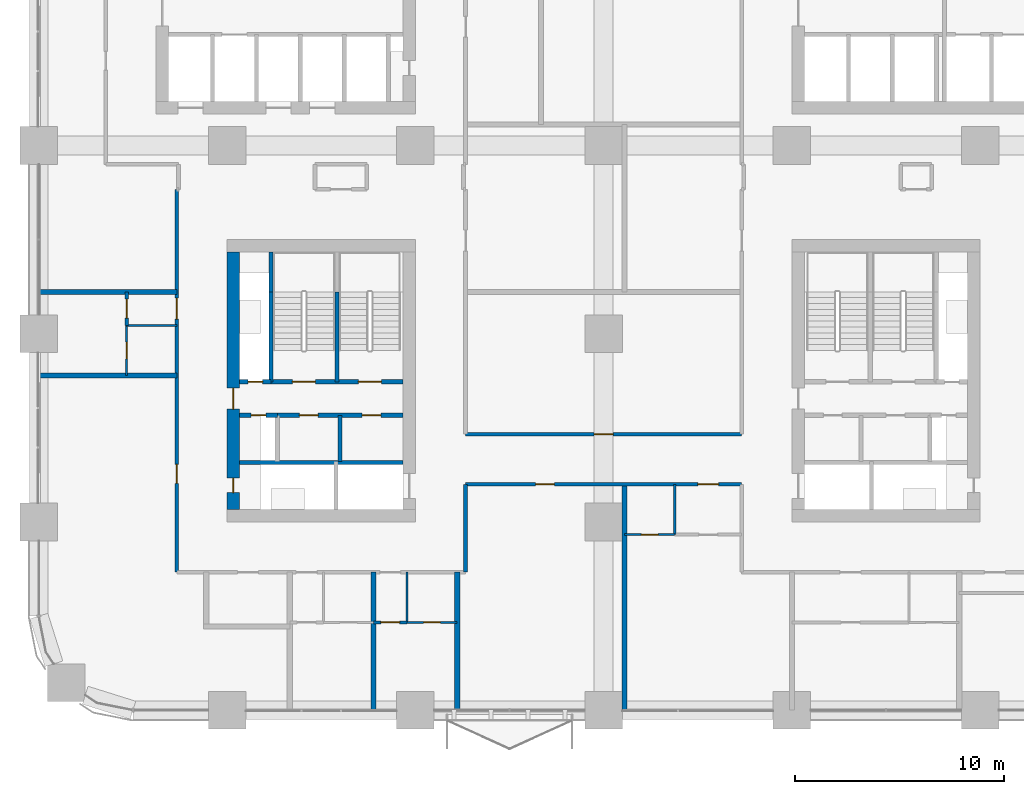
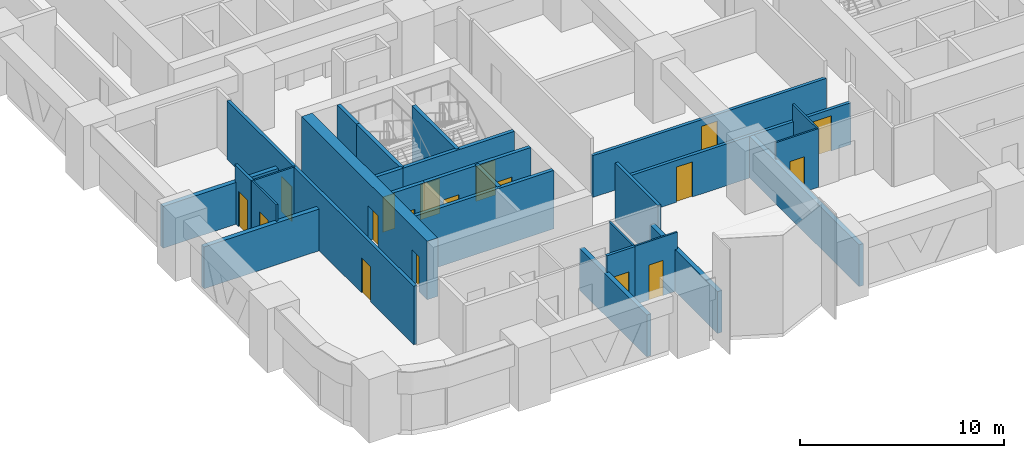
# One storey, part 14 of 24: 27 walls, 18 doors, 18 openings.
"""IFC4 building model written with IfcOpenShell, lengths in metres."""

from ifc_helpers import new_model, si_unit, direction, frame, frame_2d, origin, place, context, subcontext, project, spatial, rectangle, extrude, material, layer, layer_set, type_object, element, fill, save


model = new_model("IFC4")

# Units and contexts
model_context = context("Model", 3, precision=1e-05, world=origin(), true_north=direction((0.0, 1.0)))
body_context = subcontext(model_context, "Body", "Model", "MODEL_VIEW")
ifc_project = project(units=[si_unit("LENGTHUNIT", "METRE"), si_unit("AREAUNIT", "SQUARE_METRE"), si_unit("VOLUMEUNIT", "CUBIC_METRE"), si_unit("PLANEANGLEUNIT", "RADIAN"), si_unit("MASSUNIT", "GRAM", prefix="KILO")], contexts=[model_context])

# Site, building, storey
site_placement = place(None, origin())
site = spatial("IfcSite", under=ifc_project, at=site_placement, CompositionType="ELEMENT")
building_placement = place(site_placement, origin())
building = spatial("IfcBuilding", under=site, at=building_placement, Name="Tessera Arch", CompositionType="ELEMENT")
storey_placement = place(building_placement, frame((0.0, 0.0, 38.60009765625)))
storey = spatial("IfcBuildingStorey", under=building, at=storey_placement, Name="L07", CompositionType="ELEMENT", Elevation=38.60009765625)

# Wall
ifc_material_1 = material(Name="Gypsum board on steel stud", Category="steel")
ifc_layer_1 = layer(ifc_material_1, 0.125)
ifc_layer_set_1 = layer_set([ifc_layer_1], Name="Core partition 125 EI 60")
wall_type_1 = type_object("IfcWallType", Name="Core partition 125 EI 60", PredefinedType="PARTITIONING", material=ifc_layer_set_1)
wall_1_placement = place(storey_placement, frame((14.39990234375, 11.89990234375, 0.0), z_axis=(0.0, 0.0, 1.0), x_axis=(0.0, 1.0, 0.0)))
element("IfcWall", 1, at=wall_1_placement, inside=storey, type_object=wall_type_1, Name="L07 C4 partition wall 7", PredefinedType="PARTITIONING", context=body_context, shape_type="SweptSolid", body=[
    extrude(rectangle(XDim=2.2001953125, YDim=0.199951171875, at=frame_2d((1.10009765625, 0.0))), origin(), (0.0, 0.0, 1.0), 3.5),
])

# Wall, openings, doors
wall_2_placement = place(storey_placement, frame((11.39990234375, 14.10009765625, 0.0), z_axis=(0.0, 0.0, 1.0), x_axis=(1.0, 0.0, 0.0)))
wall_2 = element("IfcWall", 2, at=wall_2_placement, inside=storey, type_object=wall_type_1, Name="L07 C4 partition wall 9", PredefinedType="PARTITIONING", context=body_context, shape_type="SweptSolid", body=[
    extrude(rectangle(XDim=6.0, YDim=0.199951171875, at=frame_2d((3.0, 0.0))), origin(), (0.0, 0.0, 1.0), 3.5),
])
opening_1_placement = place(wall_2_placement, frame((1.050048828125, 0.0, 0.0)))
opening_1 = element("IfcOpeningElement", 3, at=opening_1_placement, cuts=wall_2, Name="Opening L07-C47", PredefinedType="OPENING", context=body_context, shape_type="SweptSolid", body=[
    extrude(rectangle(XDim=0.89990234375, YDim=2.10009765625, at=frame_2d((0.449951171875, 1.050048828125))), frame((0.0, 0.10986328125, 0.0), z_axis=(0.0, -1.0, 0.0), x_axis=(1.0, 0.0, 0.0)), (0.0, 0.0, 1.0), 0.219970703125),
])
opening_2_placement = place(wall_2_placement, frame((4.050048828125, 0.0, 0.0)))
opening_2 = element("IfcOpeningElement", 4, at=opening_2_placement, cuts=wall_2, Name="Opening L07-C48", PredefinedType="OPENING", context=body_context, shape_type="SweptSolid", body=[
    extrude(rectangle(XDim=0.89990234375, YDim=2.10009765625, at=frame_2d((0.449951171875, 1.050048828125))), frame((0.0, 0.10986328125, 0.0), z_axis=(0.0, -1.0, 0.0), x_axis=(1.0, 0.0, 0.0)), (0.0, 0.0, 1.0), 0.219970703125),
])
ifc_material_2 = material(Name="Steel door leaf", Category="steel")
door_type_1 = type_object("IfcDoorType", Name="Store door FD30S 900 x 2100", OperationType="SINGLE_SWING_LEFT", PredefinedType="DOOR", material=ifc_material_2)
door_1_placement = place(opening_1_placement, origin())
door_1 = element("IfcDoor", 5, at=door_1_placement, inside=storey, type_object=door_type_1, Name="L07 C4 door 8 C47 type D09", OperationType="SINGLE_SWING_LEFT", OverallHeight=2.10009765625, OverallWidth=0.89990234375, PredefinedType="DOOR", context=body_context, shape_type="SweptSolid", body=[
    extrude(rectangle(XDim=0.89990234375, YDim=2.10009765625, at=frame_2d((0.449951171875, 1.050048828125))), frame((0.0, 0.02490234375, 0.0), z_axis=(0.0, -1.0, 0.0), x_axis=(1.0, 0.0, 0.0)), (0.0, 0.0, 1.0), 0.050048828125),
])
fill(opening_1, door_1)
door_2_placement = place(opening_2_placement, origin())
door_2 = element("IfcDoor", 6, at=door_2_placement, inside=storey, type_object=door_type_1, Name="L07 C4 door 9 C48 type D09", OperationType="SINGLE_SWING_RIGHT", OverallHeight=2.10009765625, OverallWidth=0.89990234375, PredefinedType="DOOR", context=body_context, shape_type="SweptSolid", body=[
    extrude(rectangle(XDim=0.89990234375, YDim=2.10009765625, at=frame_2d((0.449951171875, 1.050048828125))), frame((0.0, 0.02490234375, 0.0), z_axis=(0.0, -1.0, 0.0), x_axis=(1.0, 0.0, 0.0)), (0.0, 0.0, 1.0), 0.050048828125),
])
fill(opening_2, door_2)

ifc_material_3 = material(Name="Concrete C70/85", Category="concrete")
ifc_layer_2 = layer(ifc_material_3, 0.60009765625)
ifc_layer_set_2 = layer_set([ifc_layer_2], Name="Core shell wall 600 C70-85")
wall_type_2 = type_object("IfcWallType", Name="Core shell wall 600 C70-85", PredefinedType="SHEAR", material=ifc_layer_set_2)
wall_3_placement = place(storey_placement, frame((9.300048828125, 9.60009765625, 0.0), z_axis=(0.0, 0.0, 1.0), x_axis=(0.0, 1.0, 0.0)))
wall_3 = element("IfcWall", 7, at=wall_3_placement, inside=storey, type_object=wall_type_2, Name="L07 C4 core wall W", PredefinedType="SHEAR", context=body_context, shape_type="SweptSolid", body=[
    extrude(rectangle(XDim=12.2998046875, YDim=0.60009765625, at=frame_2d((6.14990234375, 0.0))), origin(), (0.0, 0.0, 1.0), 3.5),
])
opening_3_placement = place(wall_3_placement, frame((0.800048828125, 0.0, 0.0)))
opening_3 = element("IfcOpeningElement", 8, at=opening_3_placement, cuts=wall_3, Name="Opening L07-C45", PredefinedType="OPENING", context=body_context, shape_type="SweptSolid", body=[
    extrude(rectangle(XDim=0.699951171875, YDim=2.10009765625, at=frame_2d((0.35009765625, 1.050048828125))), frame((0.0, 0.31005859375, 0.0), z_axis=(0.0, -1.0, 0.0), x_axis=(1.0, 0.0, 0.0)), (0.0, 0.0, 1.0), 0.6201171875),
])
opening_4_placement = place(wall_3_placement, frame((4.800048828125, 0.0, 0.0)))
opening_4 = element("IfcOpeningElement", 9, at=opening_4_placement, cuts=wall_3, Name="Opening L07-C46", PredefinedType="OPENING", context=body_context, shape_type="SweptSolid", body=[
    extrude(rectangle(XDim=1.0, YDim=2.10009765625, at=frame_2d((0.5, 1.050048828125))), frame((0.0, 0.31005859375, 0.0), z_axis=(0.0, -1.0, 0.0), x_axis=(1.0, 0.0, 0.0)), (0.0, 0.0, 1.0), 0.6201171875),
])
ifc_material_4 = material(Name="Steel door leaf", Category="steel")
door_type_2 = type_object("IfcDoorType", Name="Corridor door FD60 1000 x 2100", OperationType="SINGLE_SWING_LEFT", PredefinedType="DOOR", material=ifc_material_4)
door_3_placement = place(opening_4_placement, origin())
door_3 = element("IfcDoor", 10, at=door_3_placement, inside=storey, type_object=door_type_2, Name="L07 C4 door 7 C46 type D12", OperationType="SINGLE_SWING_LEFT", OverallHeight=2.10009765625, OverallWidth=1.0, PredefinedType="DOOR", context=body_context, shape_type="SweptSolid", body=[
    extrude(rectangle(XDim=1.0, YDim=2.10009765625, at=frame_2d((0.5, 1.050048828125))), frame((0.0, 0.02490234375, 0.0), z_axis=(0.0, -1.0, 0.0), x_axis=(1.0, 0.0, 0.0)), (0.0, 0.0, 1.0), 0.050048828125),
])
fill(opening_4, door_3)
ifc_material_5 = material(Name="Steel door leaf", Category="steel")
door_type_3 = type_object("IfcDoorType", Name="Service shaft door FD60 700 x 2100", OperationType="SINGLE_SWING_LEFT", PredefinedType="DOOR", material=ifc_material_5)
door_4_placement = place(opening_3_placement, origin())
door_4 = element("IfcDoor", 11, at=door_4_placement, inside=storey, type_object=door_type_3, Name="L07 C4 door 6 C45 type D07", OperationType="SINGLE_SWING_LEFT", OverallHeight=2.10009765625, OverallWidth=0.699951171875, PredefinedType="DOOR", context=body_context, shape_type="SweptSolid", body=[
    extrude(rectangle(XDim=0.699951171875, YDim=2.10009765625, at=frame_2d((0.35009765625, 1.050048828125))), frame((0.0, 0.02490234375, 0.0), z_axis=(0.0, -1.0, 0.0), x_axis=(1.0, 0.0, 0.0)), (0.0, 0.0, 1.0), 0.050048828125),
])
fill(opening_3, door_4)

ifc_material_6 = material(Name="Gypsum board on deep steel stud with mineral wool", Category="steel")
ifc_layer_3 = layer(ifc_material_6, 0.175048828125)
ifc_layer_set_3 = layer_set([ifc_layer_3], Name="Corridor wall 175 EI 60")
wall_type_3 = type_object("IfcWallType", Name="Corridor wall 175 EI 60", PredefinedType="PARTITIONING", material=ifc_layer_set_3)
wall_4_placement = place(storey_placement, frame((20.39990234375, 10.800048828125, 0.0), z_axis=(0.0, 0.0, 1.0), x_axis=(1.0, 0.0, 0.0)))
wall_4 = element("IfcWall", 12, at=wall_4_placement, inside=storey, type_object=wall_type_3, Name="L07 partition 3", PredefinedType="PARTITIONING", context=body_context, shape_type="SweptSolid", body=[
    extrude(rectangle(XDim=13.2001953125, YDim=0.175048828125, at=frame_2d((6.60009765625, 0.0))), origin(), (0.0, 0.0, 1.0), 2.5),
])
opening_5_placement = place(wall_4_placement, frame((11.10009765625, 0.0, 0.0)))
opening_5 = element("IfcOpeningElement", 13, at=opening_5_placement, cuts=wall_4, Name="Opening L07-D013", PredefinedType="OPENING", context=body_context, shape_type="SweptSolid", body=[
    extrude(rectangle(XDim=1.0, YDim=2.10009765625, at=frame_2d((0.5, 1.050048828125))), frame((0.0, 0.097412109375, 0.0), z_axis=(0.0, -1.0, 0.0), x_axis=(1.0, 0.0, 0.0)), (0.0, 0.0, 1.0), 0.195068359375),
])
opening_6_placement = place(wall_4_placement, frame((3.35009765625, 0.0, 0.0)))
opening_6 = element("IfcOpeningElement", 14, at=opening_6_placement, cuts=wall_4, Name="Opening L07-D017", PredefinedType="OPENING", context=body_context, shape_type="SweptSolid", body=[
    extrude(rectangle(XDim=0.89990234375, YDim=2.10009765625, at=frame_2d((0.449951171875, 1.050048828125))), frame((0.0, 0.097412109375, 0.0), z_axis=(0.0, -1.0, 0.0), x_axis=(1.0, 0.0, 0.0)), (0.0, 0.0, 1.0), 0.195068359375),
])
ifc_material_7 = material(Name="Fire-rated door leaf")
door_type_4 = type_object("IfcDoorType", Name="Entrance door FD30S 1000 x 2100", OperationType="SINGLE_SWING_LEFT", PredefinedType="DOOR", material=ifc_material_7)
door_5_placement = place(opening_5_placement, origin())
door_5 = element("IfcDoor", 15, at=door_5_placement, inside=storey, type_object=door_type_4, Name="L07 door D013 type D03", OperationType="SINGLE_SWING_RIGHT", OverallHeight=2.10009765625, OverallWidth=1.0, PredefinedType="DOOR", context=body_context, shape_type="SweptSolid", body=[
    extrude(rectangle(XDim=1.0, YDim=2.10009765625, at=frame_2d((0.5, 1.050048828125))), frame((0.0, 0.02490234375, 0.0), z_axis=(0.0, -1.0, 0.0), x_axis=(1.0, 0.0, 0.0)), (0.0, 0.0, 1.0), 0.050048828125),
])
fill(opening_5, door_5)
ifc_material_8 = material(Name="Timber door leaf", Category="wood")
door_type_5 = type_object("IfcDoorType", Name="Room door 900 x 2100", OperationType="SINGLE_SWING_LEFT", PredefinedType="DOOR", material=ifc_material_8)
door_6_placement = place(opening_6_placement, origin())
door_6 = element("IfcDoor", 16, at=door_6_placement, inside=storey, type_object=door_type_5, Name="L07 door D017 type D01", OperationType="SINGLE_SWING_RIGHT", OverallHeight=2.10009765625, OverallWidth=0.89990234375, PredefinedType="DOOR", context=body_context, shape_type="SweptSolid", body=[
    extrude(rectangle(XDim=0.89990234375, YDim=2.10009765625, at=frame_2d((0.449951171875, 1.050048828125))), frame((0.0, 0.02490234375, 0.0), z_axis=(0.0, -1.0, 0.0), x_axis=(1.0, 0.0, 0.0)), (0.0, 0.0, 1.0), 0.050048828125),
])
fill(opening_6, door_6)

# Wall, opening, door
wall_5_placement = place(storey_placement, frame((20.39990234375, 13.199951171875, 0.0), z_axis=(0.0, 0.0, 1.0), x_axis=(1.0, 0.0, 0.0)))
wall_5 = element("IfcWall", 17, at=wall_5_placement, inside=storey, type_object=wall_type_3, Name="L07 partition 4", PredefinedType="PARTITIONING", context=body_context, shape_type="SweptSolid", body=[
    extrude(rectangle(XDim=13.2001953125, YDim=0.175048828125, at=frame_2d((6.60009765625, 0.0))), origin(), (0.0, 0.0, 1.0), 2.5),
])
opening_7_placement = place(wall_5_placement, frame((6.14990234375, 0.0, 0.0)))
opening_7 = element("IfcOpeningElement", 18, at=opening_7_placement, cuts=wall_5, Name="Opening L07-D025", PredefinedType="OPENING", context=body_context, shape_type="SweptSolid", body=[
    extrude(rectangle(XDim=0.89990234375, YDim=2.10009765625, at=frame_2d((0.449951171875, 1.050048828125))), frame((0.0, 0.097412109375, 0.0), z_axis=(0.0, -1.0, 0.0), x_axis=(1.0, 0.0, 0.0)), (0.0, 0.0, 1.0), 0.195068359375),
])
door_7_placement = place(opening_7_placement, origin())
door_7 = element("IfcDoor", 19, at=door_7_placement, inside=storey, type_object=door_type_5, Name="L07 door D025 type D01", OperationType="SINGLE_SWING_LEFT", OverallHeight=2.10009765625, OverallWidth=0.89990234375, PredefinedType="DOOR", context=body_context, shape_type="SweptSolid", body=[
    extrude(rectangle(XDim=0.89990234375, YDim=2.10009765625, at=frame_2d((0.449951171875, 1.050048828125))), frame((0.0, 0.02490234375, 0.0), z_axis=(0.0, -1.0, 0.0), x_axis=(1.0, 0.0, 0.0)), (0.0, 0.0, 1.0), 0.050048828125),
])
fill(opening_7, door_7)

# Wall, openings, doors
wall_6_placement = place(storey_placement, frame((6.60009765625, 6.60009765625, 0.0), z_axis=(0.0, 0.0, 1.0), x_axis=(0.0, 1.0, 0.0)))
wall_6 = element("IfcWall", 20, at=wall_6_placement, inside=storey, type_object=wall_type_3, Name="L07 partition 22", PredefinedType="PARTITIONING", context=body_context, shape_type="SweptSolid", body=[
    extrude(rectangle(XDim=18.2998046875, YDim=0.175048828125, at=frame_2d((9.14990234375, 0.0))), origin(), (0.0, 0.0, 1.0), 3.5),
])
opening_8_placement = place(wall_6_placement, frame((4.25, 0.0, 0.0)))
opening_8 = element("IfcOpeningElement", 21, at=opening_8_placement, cuts=wall_6, Name="Opening L07-D018", PredefinedType="OPENING", context=body_context, shape_type="SweptSolid", body=[
    extrude(rectangle(XDim=0.89990234375, YDim=2.10009765625, at=frame_2d((0.449951171875, 1.050048828125))), frame((0.0, 0.097412109375, 0.0), z_axis=(0.0, -1.0, 0.0), x_axis=(1.0, 0.0, 0.0)), (0.0, 0.0, 1.0), 0.195068359375),
])
opening_9_placement = place(wall_6_placement, frame((12.10009765625, 0.0, 0.0)))
opening_9 = element("IfcOpeningElement", 22, at=opening_9_placement, cuts=wall_6, Name="Opening L07-D026", PredefinedType="OPENING", context=body_context, shape_type="SweptSolid", body=[
    extrude(rectangle(XDim=1.0, YDim=2.10009765625, at=frame_2d((0.5, 1.050048828125))), frame((0.0, 0.097412109375, 0.0), z_axis=(0.0, -1.0, 0.0), x_axis=(1.0, 0.0, 0.0)), (0.0, 0.0, 1.0), 0.195068359375),
])
door_8_placement = place(opening_9_placement, origin())
door_8 = element("IfcDoor", 23, at=door_8_placement, inside=storey, type_object=door_type_4, Name="L07 door D026 type D03", OperationType="SINGLE_SWING_RIGHT", OverallHeight=2.10009765625, OverallWidth=1.0, PredefinedType="DOOR", context=body_context, shape_type="SweptSolid", body=[
    extrude(rectangle(XDim=1.0, YDim=2.10009765625, at=frame_2d((0.5, 1.050048828125))), frame((0.0, 0.02490234375, 0.0), z_axis=(0.0, -1.0, 0.0), x_axis=(1.0, 0.0, 0.0)), (0.0, 0.0, 1.0), 0.050048828125),
])
fill(opening_9, door_8)
door_9_placement = place(opening_8_placement, origin())
door_9 = element("IfcDoor", 24, at=door_9_placement, inside=storey, type_object=door_type_5, Name="L07 door D018 type D01", OperationType="SINGLE_SWING_RIGHT", OverallHeight=2.10009765625, OverallWidth=0.89990234375, PredefinedType="DOOR", context=body_context, shape_type="SweptSolid", body=[
    extrude(rectangle(XDim=0.89990234375, YDim=2.10009765625, at=frame_2d((0.449951171875, 1.050048828125))), frame((0.0, 0.02490234375, 0.0), z_axis=(0.0, -1.0, 0.0), x_axis=(1.0, 0.0, 0.0)), (0.0, 0.0, 1.0), 0.050048828125),
])
fill(opening_8, door_9)

# Wall
wall_7_placement = place(storey_placement, frame((20.39990234375, 6.60009765625, 0.0), z_axis=(0.0, 0.0, 1.0), x_axis=(0.0, 1.0, 0.0)))
element("IfcWall", 25, at=wall_7_placement, inside=storey, type_object=wall_type_3, Name="L07 partition 27", PredefinedType="PARTITIONING", context=body_context, shape_type="SweptSolid", body=[
    extrude(rectangle(XDim=4.199951171875, YDim=0.175048828125, at=frame_2d((2.10009765625, 0.0))), origin(), (0.0, 0.0, 1.0), 3.5),
])

# Wall, opening, door
ifc_material_9 = material(Name="Gypsum board on steel stud", Category="steel")
ifc_layer_4 = layer(ifc_material_9, 0.14990234375)
ifc_layer_set_4 = layer_set([ifc_layer_4], Name="Partition 150")
wall_type_4 = type_object("IfcWallType", Name="Partition 150", PredefinedType="PARTITIONING", material=ifc_layer_set_4)
wall_8_placement = place(storey_placement, frame((16.0, 4.199951171875, 0.0), z_axis=(0.0, 0.0, 1.0), x_axis=(1.0, 0.0, 0.0)))
wall_8 = element("IfcWall", 26, at=wall_8_placement, inside=storey, type_object=wall_type_4, Name="L07 partition 42", PredefinedType="PARTITIONING", context=body_context, shape_type="SweptSolid", body=[
    extrude(rectangle(XDim=1.60009765625, YDim=0.14990234375, at=frame_2d((0.800048828125, 0.0))), origin(), (0.0, 0.0, 1.0), 3.5),
])
opening_10_placement = place(wall_8_placement, frame((0.35009765625, 0.0, 0.0)))
opening_10 = element("IfcOpeningElement", 27, at=opening_10_placement, cuts=wall_8, Name="Opening L07-D005", PredefinedType="OPENING", context=body_context, shape_type="SweptSolid", body=[
    extrude(rectangle(XDim=0.89990234375, YDim=2.10009765625, at=frame_2d((0.449951171875, 1.050048828125))), frame((0.0, 0.0849609375, 0.0), z_axis=(0.0, -1.0, 0.0), x_axis=(1.0, 0.0, 0.0)), (0.0, 0.0, 1.0), 0.169921875),
])
door_10_placement = place(opening_10_placement, origin())
door_10 = element("IfcDoor", 28, at=door_10_placement, inside=storey, type_object=door_type_5, Name="L07 door D005 type D01", OperationType="SINGLE_SWING_RIGHT", OverallHeight=2.10009765625, OverallWidth=0.89990234375, PredefinedType="DOOR", context=body_context, shape_type="SweptSolid", body=[
    extrude(rectangle(XDim=0.89990234375, YDim=2.10009765625, at=frame_2d((0.449951171875, 1.050048828125))), frame((0.0, 0.02490234375, 0.0), z_axis=(0.0, -1.0, 0.0), x_axis=(1.0, 0.0, 0.0)), (0.0, 0.0, 1.0), 0.050048828125),
])
fill(opening_10, door_10)

wall_9_placement = place(storey_placement, frame((4.199951171875, 18.39990234375, 0.0), z_axis=(0.0, 0.0, 1.0), x_axis=(0.0, 1.0, 0.0)))
wall_9 = element("IfcWall", 29, at=wall_9_placement, inside=storey, type_object=wall_type_4, Name="L07 partition 46", PredefinedType="PARTITIONING", context=body_context, shape_type="SweptSolid", body=[
    extrude(rectangle(XDim=1.60009765625, YDim=0.14990234375, at=frame_2d((0.800048828125, 0.0))), origin(), (0.0, 0.0, 1.0), 3.5),
])
opening_11_placement = place(wall_9_placement, frame((0.35009765625, 0.0, 0.0)))
opening_11 = element("IfcOpeningElement", 30, at=opening_11_placement, cuts=wall_9, Name="Opening L07-D027", PredefinedType="OPENING", context=body_context, shape_type="SweptSolid", body=[
    extrude(rectangle(XDim=0.89990234375, YDim=2.10009765625, at=frame_2d((0.449951171875, 1.050048828125))), frame((0.0, 0.0849609375, 0.0), z_axis=(0.0, -1.0, 0.0), x_axis=(1.0, 0.0, 0.0)), (0.0, 0.0, 1.0), 0.169921875),
])
door_11_placement = place(opening_11_placement, origin())
door_11 = element("IfcDoor", 31, at=door_11_placement, inside=storey, type_object=door_type_5, Name="L07 door D027 type D01", OperationType="SINGLE_SWING_LEFT", OverallHeight=2.10009765625, OverallWidth=0.89990234375, PredefinedType="DOOR", context=body_context, shape_type="SweptSolid", body=[
    extrude(rectangle(XDim=0.89990234375, YDim=2.10009765625, at=frame_2d((0.449951171875, 1.050048828125))), frame((0.0, 0.02490234375, 0.0), z_axis=(0.0, -1.0, 0.0), x_axis=(1.0, 0.0, 0.0)), (0.0, 0.0, 1.0), 0.050048828125),
])
fill(opening_11, door_11)

# Walls
ifc_material_10 = material(Name="Double gypsum board on twin steel stud with acoustic mineral wool", Category="steel")
ifc_layer_5 = layer(ifc_material_10, 0.25)
ifc_layer_set_5 = layer_set([ifc_layer_5], Name="Party wall 250 EI 60")
wall_type_5 = type_object("IfcWallType", Name="Party wall 250 EI 60", PredefinedType="PARTITIONING", material=ifc_layer_set_5)
for number, where, z_axis, x_axis, name in (
    (32, (0.0, 16.0, 0.0), (0.0, 0.0, 1.0), (1.0, 0.0, 0.0), "L07 partition 52"),
    (33, (0.0, 20.0, 0.0), (0.0, 0.0, 1.0), (1.0, 0.0, 0.0), "L07 partition 53"),
    (34, (16.0, 0.0, 0.0), (0.0, 0.0, 1.0), (0.0, 1.0, 0.0), "L07 partition 63"),
    (35, (20.0, 0.0, 0.0), (0.0, 0.0, 1.0), (0.0, 1.0, 0.0), "L07 partition 64"),
):
    element("IfcWall", number, at=place(storey_placement, frame(where, z_axis=z_axis, x_axis=x_axis)), inside=storey, type_object=wall_type_5, Name=name, PredefinedType="PARTITIONING", context=body_context, shape_type="SweptSolid", body=[
        extrude(rectangle(XDim=6.60009765625, YDim=0.25, at=frame_2d((3.300048828125, 0.0))), origin(), (0.0, 0.0, 1.0), 2.5),
    ])
wall_10_placement = place(storey_placement, frame((28.0, 0.0, 0.0), z_axis=(0.0, 0.0, 1.0), x_axis=(0.0, 1.0, 0.0)))
element("IfcWall", 36, at=wall_10_placement, inside=storey, type_object=wall_type_5, Name="L07 partition 67", PredefinedType="PARTITIONING", context=body_context, shape_type="SweptSolid", body=[
    extrude(rectangle(XDim=10.800048828125, YDim=0.25, at=frame_2d((5.39990234375, 0.0))), origin(), (0.0, 0.0, 1.0), 2.5),
])
ifc_material_11 = material(Name="Concrete C40/50", Category="concrete")
ifc_layer_6 = layer(ifc_material_11, 0.199951171875)
ifc_layer_set_6 = layer_set([ifc_layer_6], Name="Shaft wall 200 EI 120")
wall_type_6 = type_object("IfcWallType", Name="Shaft wall 200 EI 120", PredefinedType="SOLIDWALL", material=ifc_layer_set_6)
wall_11_placement = place(storey_placement, frame((9.60009765625, 11.85009765625, 0.0), z_axis=(0.0, 0.0, 1.0), x_axis=(1.0, 0.0, 0.0)))
element("IfcWall", 37, at=wall_11_placement, inside=storey, type_object=wall_type_6, Name="L07 C4 shaft wall 8", PredefinedType="SOLIDWALL", context=body_context, shape_type="SweptSolid", body=[
    extrude(rectangle(XDim=7.7998046875, YDim=0.199951171875, at=frame_2d((3.89990234375, 0.0))), origin(), (0.0, 0.0, 1.0), 3.5),
])

# Wall, opening, door
wall_12_placement = place(storey_placement, frame((9.60009765625, 14.10009765625, 0.0), z_axis=(0.0, 0.0, 1.0), x_axis=(1.0, 0.0, 0.0)))
wall_12 = element("IfcWall", 38, at=wall_12_placement, inside=storey, type_object=wall_type_6, Name="L07 C4 shaft wall 10", PredefinedType="SOLIDWALL", context=body_context, shape_type="SweptSolid", body=[
    extrude(rectangle(XDim=1.7998046875, YDim=0.199951171875, at=frame_2d((0.89990234375, 0.0))), origin(), (0.0, 0.0, 1.0), 3.5),
])
opening_12_placement = place(wall_12_placement, frame((0.550048828125, 0.0, 0.0)))
opening_12 = element("IfcOpeningElement", 39, at=opening_12_placement, cuts=wall_12, Name="Opening L07-C44", PredefinedType="OPENING", context=body_context, shape_type="SweptSolid", body=[
    extrude(rectangle(XDim=0.699951171875, YDim=2.10009765625, at=frame_2d((0.35009765625, 1.050048828125))), frame((0.0, 0.10986328125, 0.0), z_axis=(0.0, -1.0, 0.0), x_axis=(1.0, 0.0, 0.0)), (0.0, 0.0, 1.0), 0.219970703125),
])
door_12_placement = place(opening_12_placement, origin())
door_12 = element("IfcDoor", 40, at=door_12_placement, inside=storey, type_object=door_type_3, Name="L07 C4 door 5 C44 type D07", OperationType="SINGLE_SWING_LEFT", OverallHeight=2.10009765625, OverallWidth=0.699951171875, PredefinedType="DOOR", context=body_context, shape_type="SweptSolid", body=[
    extrude(rectangle(XDim=0.699951171875, YDim=2.10009765625, at=frame_2d((0.35009765625, 1.050048828125))), frame((0.0, 0.02490234375, 0.0), z_axis=(0.0, -1.0, 0.0), x_axis=(1.0, 0.0, 0.0)), (0.0, 0.0, 1.0), 0.050048828125),
])
fill(opening_12, door_12)

wall_13_placement = place(storey_placement, frame((9.60009765625, 15.699951171875, 0.0), z_axis=(0.0, 0.0, 1.0), x_axis=(1.0, 0.0, 0.0)))
wall_13 = element("IfcWall", 41, at=wall_13_placement, inside=storey, type_object=wall_type_6, Name="L07 C4 shaft wall 11", PredefinedType="SOLIDWALL", context=body_context, shape_type="SweptSolid", body=[
    extrude(rectangle(XDim=1.5, YDim=0.199951171875, at=frame_2d((0.75, 0.0))), origin(), (0.0, 0.0, 1.0), 3.5),
])
opening_13_placement = place(wall_13_placement, frame((0.39990234375, 0.0, 0.0)))
opening_13 = element("IfcOpeningElement", 42, at=opening_13_placement, cuts=wall_13, Name="Opening L07-C43", PredefinedType="OPENING", context=body_context, shape_type="SweptSolid", body=[
    extrude(rectangle(XDim=0.699951171875, YDim=2.10009765625, at=frame_2d((0.35009765625, 1.050048828125))), frame((0.0, 0.10986328125, 0.0), z_axis=(0.0, -1.0, 0.0), x_axis=(1.0, 0.0, 0.0)), (0.0, 0.0, 1.0), 0.219970703125),
])
door_13_placement = place(opening_13_placement, origin())
door_13 = element("IfcDoor", 43, at=door_13_placement, inside=storey, type_object=door_type_3, Name="L07 C4 door 4 C43 type D07", OperationType="SINGLE_SWING_LEFT", OverallHeight=2.10009765625, OverallWidth=0.699951171875, PredefinedType="DOOR", context=body_context, shape_type="SweptSolid", body=[
    extrude(rectangle(XDim=0.699951171875, YDim=2.10009765625, at=frame_2d((0.35009765625, 1.050048828125))), frame((0.0, 0.02490234375, 0.0), z_axis=(0.0, -1.0, 0.0), x_axis=(1.0, 0.0, 0.0)), (0.0, 0.0, 1.0), 0.050048828125),
])
fill(opening_13, door_13)

# Walls
ifc_material_12 = material(Name="Concrete C40/50", Category="concrete")
ifc_layer_7 = layer(ifc_material_12, 0.199951171875)
ifc_layer_set_7 = layer_set([ifc_layer_7], Name="Stair well wall 200 REI 180")
wall_type_7 = type_object("IfcWallType", Name="Stair well wall 200 REI 180", PredefinedType="SOLIDWALL", material=ifc_layer_set_7)
wall_14_placement = place(storey_placement, frame((11.10009765625, 15.699951171875, 0.0), z_axis=(0.0, 0.0, 1.0), x_axis=(0.0, 1.0, 0.0)))
element("IfcWall", 44, at=wall_14_placement, inside=storey, type_object=wall_type_7, Name="L07 C4 shaft wall 1", PredefinedType="SOLIDWALL", context=body_context, shape_type="SweptSolid", body=[
    extrude(rectangle(XDim=4.300048828125, YDim=0.199951171875, at=frame_2d((2.14990234375, 0.0))), origin(), (0.0, 0.0, 1.0), 3.5),
])
wall_15_placement = place(storey_placement, frame((11.10009765625, 20.0, 0.0), z_axis=(0.0, 0.0, 1.0), x_axis=(0.0, 1.0, 0.0)))
element("IfcWall", 45, at=wall_15_placement, inside=storey, type_object=wall_type_7, Name="L07 C4 shaft wall 2", PredefinedType="SOLIDWALL", context=body_context, shape_type="SweptSolid", body=[
    extrude(rectangle(XDim=1.89990234375, YDim=0.199951171875, at=frame_2d((0.949951171875, 0.0))), origin(), (0.0, 0.0, 1.0), 3.5),
])
wall_16_placement = place(storey_placement, frame((14.25, 15.699951171875, 0.0), z_axis=(0.0, 0.0, 1.0), x_axis=(0.0, 1.0, 0.0)))
element("IfcWall", 46, at=wall_16_placement, inside=storey, type_object=wall_type_7, Name="L07 C4 shaft wall 5", PredefinedType="SOLIDWALL", context=body_context, shape_type="SweptSolid", body=[
    extrude(rectangle(XDim=4.300048828125, YDim=0.199951171875, at=frame_2d((2.14990234375, 0.0))), origin(), (0.0, 0.0, 1.0), 3.5),
])

# Wall, openings, doors
wall_17_placement = place(storey_placement, frame((11.10009765625, 15.699951171875, 0.0), z_axis=(0.0, 0.0, 1.0), x_axis=(1.0, 0.0, 0.0)))
wall_17 = element("IfcWall", 47, at=wall_17_placement, inside=storey, type_object=wall_type_7, Name="L07 C4 shaft wall 12", PredefinedType="SOLIDWALL", context=body_context, shape_type="SweptSolid", body=[
    extrude(rectangle(XDim=6.2998046875, YDim=0.199951171875, at=frame_2d((3.14990234375, 0.0))), origin(), (0.0, 0.0, 1.0), 3.5),
])
opening_14_placement = place(wall_17_placement, frame((4.175048828125, 0.0, 0.0)))
opening_14 = element("IfcOpeningElement", 48, at=opening_14_placement, cuts=wall_17, Name="Opening L07-C41", PredefinedType="OPENING", context=body_context, shape_type="SweptSolid", body=[
    extrude(rectangle(XDim=1.10009765625, YDim=2.10009765625, at=frame_2d((0.550048828125, 1.050048828125))), frame((0.0, 0.10986328125, 0.0), z_axis=(0.0, -1.0, 0.0), x_axis=(1.0, 0.0, 0.0)), (0.0, 0.0, 1.0), 0.219970703125),
])
opening_15_placement = place(wall_17_placement, frame((1.02490234375, 0.0, 0.0)))
opening_15 = element("IfcOpeningElement", 49, at=opening_15_placement, cuts=wall_17, Name="Opening L07-C42", PredefinedType="OPENING", context=body_context, shape_type="SweptSolid", body=[
    extrude(rectangle(XDim=1.10009765625, YDim=2.10009765625, at=frame_2d((0.550048828125, 1.050048828125))), frame((0.0, 0.10986328125, 0.0), z_axis=(0.0, -1.0, 0.0), x_axis=(1.0, 0.0, 0.0)), (0.0, 0.0, 1.0), 0.219970703125),
])
ifc_material_13 = material(Name="Steel door leaf", Category="steel")
door_type_6 = type_object("IfcDoorType", Name="Stair door FD60 1100 x 2100", OperationType="SINGLE_SWING_LEFT", PredefinedType="DOOR", material=ifc_material_13)
door_14_placement = place(opening_14_placement, origin())
door_14 = element("IfcDoor", 50, at=door_14_placement, inside=storey, type_object=door_type_6, Name="L07 C4 door 2 C41 type D05", OperationType="SINGLE_SWING_RIGHT", OverallHeight=2.10009765625, OverallWidth=1.10009765625, PredefinedType="DOOR", context=body_context, shape_type="SweptSolid", body=[
    extrude(rectangle(XDim=1.10009765625, YDim=2.10009765625, at=frame_2d((0.550048828125, 1.050048828125))), frame((0.0, 0.02490234375, 0.0), z_axis=(0.0, -1.0, 0.0), x_axis=(1.0, 0.0, 0.0)), (0.0, 0.0, 1.0), 0.050048828125),
])
fill(opening_14, door_14)
door_15_placement = place(opening_15_placement, origin())
door_15 = element("IfcDoor", 51, at=door_15_placement, inside=storey, type_object=door_type_6, Name="L07 C4 door 3 C42 type D05", OperationType="SINGLE_SWING_LEFT", OverallHeight=2.10009765625, OverallWidth=1.10009765625, PredefinedType="DOOR", context=body_context, shape_type="SweptSolid", body=[
    extrude(rectangle(XDim=1.10009765625, YDim=2.10009765625, at=frame_2d((0.550048828125, 1.050048828125))), frame((0.0, 0.02490234375, 0.0), z_axis=(0.0, -1.0, 0.0), x_axis=(1.0, 0.0, 0.0)), (0.0, 0.0, 1.0), 0.050048828125),
])
fill(opening_15, door_15)

# Wall, opening, door
ifc_material_14 = material(Name="Moisture-resistant board on pre-plumbed steel stud", Category="steel")
ifc_layer_8 = layer(ifc_material_14, 0.10009765625)
ifc_layer_set_8 = layer_set([ifc_layer_8], Name="Wet wall 100")
wall_type_8 = type_object("IfcWallType", Name="Wet wall 100", PredefinedType="PARTITIONING", material=ifc_layer_set_8)
wall_18_placement = place(storey_placement, frame((17.60009765625, 4.199951171875, 0.0), z_axis=(0.0, 0.0, 1.0), x_axis=(1.0, 0.0, 0.0)))
wall_18 = element("IfcWall", 52, at=wall_18_placement, inside=storey, type_object=wall_type_8, Name="L07 partition 74", PredefinedType="PARTITIONING", context=body_context, shape_type="SweptSolid", body=[
    extrude(rectangle(XDim=2.39990234375, YDim=0.10009765625, at=frame_2d((1.199951171875, 0.0))), origin(), (0.0, 0.0, 1.0), 3.5),
])
opening_16_placement = place(wall_18_placement, frame((0.800048828125, 0.0, 0.0)))
opening_16 = element("IfcOpeningElement", 53, at=opening_16_placement, cuts=wall_18, Name="Opening L07-D006", PredefinedType="OPENING", context=body_context, shape_type="SweptSolid", body=[
    extrude(rectangle(XDim=0.800048828125, YDim=2.10009765625, at=frame_2d((0.39990234375, 1.050048828125))), frame((0.0, 0.06005859375, 0.0), z_axis=(0.0, -1.0, 0.0), x_axis=(1.0, 0.0, 0.0)), (0.0, 0.0, 1.0), 0.1201171875),
])
ifc_material_15 = material(Name="Timber door leaf", Category="wood")
door_type_7 = type_object("IfcDoorType", Name="En-suite door 800 x 2100", OperationType="SINGLE_SWING_LEFT", PredefinedType="DOOR", material=ifc_material_15)
door_16_placement = place(opening_16_placement, origin())
door_16 = element("IfcDoor", 54, at=door_16_placement, inside=storey, type_object=door_type_7, Name="L07 door D006 type D02", OperationType="SINGLE_SWING_LEFT", OverallHeight=2.10009765625, OverallWidth=0.800048828125, PredefinedType="DOOR", context=body_context, shape_type="SweptSolid", body=[
    extrude(rectangle(XDim=0.800048828125, YDim=2.10009765625, at=frame_2d((0.39990234375, 1.050048828125))), frame((0.0, 0.02490234375, 0.0), z_axis=(0.0, -1.0, 0.0), x_axis=(1.0, 0.0, 0.0)), (0.0, 0.0, 1.0), 0.050048828125),
])
fill(opening_16, door_16)

wall_19_placement = place(storey_placement, frame((28.0, 8.39990234375, 0.0), z_axis=(0.0, 0.0, 1.0), x_axis=(1.0, 0.0, 0.0)))
wall_19 = element("IfcWall", 55, at=wall_19_placement, inside=storey, type_object=wall_type_8, Name="L07 partition 77", PredefinedType="PARTITIONING", context=body_context, shape_type="SweptSolid", body=[
    extrude(rectangle(XDim=2.39990234375, YDim=0.10009765625, at=frame_2d((1.199951171875, 0.0))), origin(), (0.0, 0.0, 1.0), 3.5),
])
opening_17_placement = place(wall_19_placement, frame((0.800048828125, 0.0, 0.0)))
opening_17 = element("IfcOpeningElement", 56, at=opening_17_placement, cuts=wall_19, Name="Opening L07-D015", PredefinedType="OPENING", context=body_context, shape_type="SweptSolid", body=[
    extrude(rectangle(XDim=0.800048828125, YDim=2.10009765625, at=frame_2d((0.39990234375, 1.050048828125))), frame((0.0, 0.06005859375, 0.0), z_axis=(0.0, -1.0, 0.0), x_axis=(1.0, 0.0, 0.0)), (0.0, 0.0, 1.0), 0.1201171875),
])
door_17_placement = place(opening_17_placement, origin())
door_17 = element("IfcDoor", 57, at=door_17_placement, inside=storey, type_object=door_type_7, Name="L07 door D015 type D02", OperationType="SINGLE_SWING_RIGHT", OverallHeight=2.10009765625, OverallWidth=0.800048828125, PredefinedType="DOOR", context=body_context, shape_type="SweptSolid", body=[
    extrude(rectangle(XDim=0.800048828125, YDim=2.10009765625, at=frame_2d((0.39990234375, 1.050048828125))), frame((0.0, 0.02490234375, 0.0), z_axis=(0.0, -1.0, 0.0), x_axis=(1.0, 0.0, 0.0)), (0.0, 0.0, 1.0), 0.050048828125),
])
fill(opening_17, door_17)

# Wall
wall_20_placement = place(storey_placement, frame((4.199951171875, 18.39990234375, 0.0), z_axis=(0.0, 0.0, 1.0), x_axis=(1.0, 0.0, 0.0)))
element("IfcWall", 58, at=wall_20_placement, inside=storey, type_object=wall_type_8, Name="L07 partition 80", PredefinedType="PARTITIONING", context=body_context, shape_type="SweptSolid", body=[
    extrude(rectangle(XDim=2.400146484375, YDim=0.10009765625, at=frame_2d((1.2001953125, 0.0))), origin(), (0.0, 0.0, 1.0), 3.5),
])

# Wall, opening, door
wall_21_placement = place(storey_placement, frame((4.199951171875, 16.0, 0.0), z_axis=(0.0, 0.0, 1.0), x_axis=(0.0, 1.0, 0.0)))
wall_21 = element("IfcWall", 59, at=wall_21_placement, inside=storey, type_object=wall_type_8, Name="L07 partition 81", PredefinedType="PARTITIONING", context=body_context, shape_type="SweptSolid", body=[
    extrude(rectangle(XDim=2.39990234375, YDim=0.10009765625, at=frame_2d((1.199951171875, 0.0))), origin(), (0.0, 0.0, 1.0), 3.5),
])
opening_18_placement = place(wall_21_placement, frame((0.800048828125, 0.0, 0.0)))
opening_18 = element("IfcOpeningElement", 60, at=opening_18_placement, cuts=wall_21, Name="Opening L07-D028", PredefinedType="OPENING", context=body_context, shape_type="SweptSolid", body=[
    extrude(rectangle(XDim=0.800048828125, YDim=2.10009765625, at=frame_2d((0.39990234375, 1.050048828125))), frame((0.0, 0.06005859375, 0.0), z_axis=(0.0, -1.0, 0.0), x_axis=(1.0, 0.0, 0.0)), (0.0, 0.0, 1.0), 0.1201171875),
])
door_18_placement = place(opening_18_placement, origin())
door_18 = element("IfcDoor", 61, at=door_18_placement, inside=storey, type_object=door_type_7, Name="L07 door D028 type D02", OperationType="SINGLE_SWING_RIGHT", OverallHeight=2.10009765625, OverallWidth=0.800048828125, PredefinedType="DOOR", context=body_context, shape_type="SweptSolid", body=[
    extrude(rectangle(XDim=0.800048828125, YDim=2.10009765625, at=frame_2d((0.39990234375, 1.050048828125))), frame((0.0, 0.02490234375, 0.0), z_axis=(0.0, -1.0, 0.0), x_axis=(1.0, 0.0, 0.0)), (0.0, 0.0, 1.0), 0.050048828125),
])
fill(opening_18, door_18)

# Walls
for number, where, z_axis, x_axis, name in (
    (62, (17.60009765625, 4.199951171875, 0.0), (0.0, 0.0, 1.0), (0.0, 1.0, 0.0), "L07 partition 83"),
    (63, (30.39990234375, 8.39990234375, 0.0), (0.0, 0.0, 1.0), (0.0, 1.0, 0.0), "L07 partition 84"),
):
    element("IfcWall", number, at=place(storey_placement, frame(where, z_axis=z_axis, x_axis=x_axis)), inside=storey, type_object=wall_type_8, Name=name, PredefinedType="PARTITIONING", context=body_context, shape_type="SweptSolid", body=[
        extrude(rectangle(XDim=2.400146484375, YDim=0.10009765625, at=frame_2d((1.2001953125, 0.0))), origin(), (0.0, 0.0, 1.0), 3.5),
    ])

save(model, "model.ifc")
